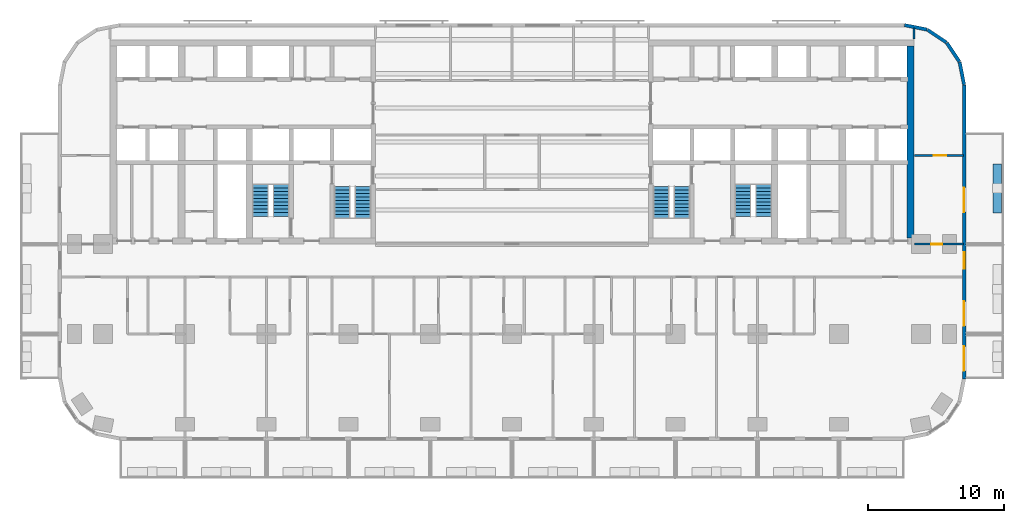
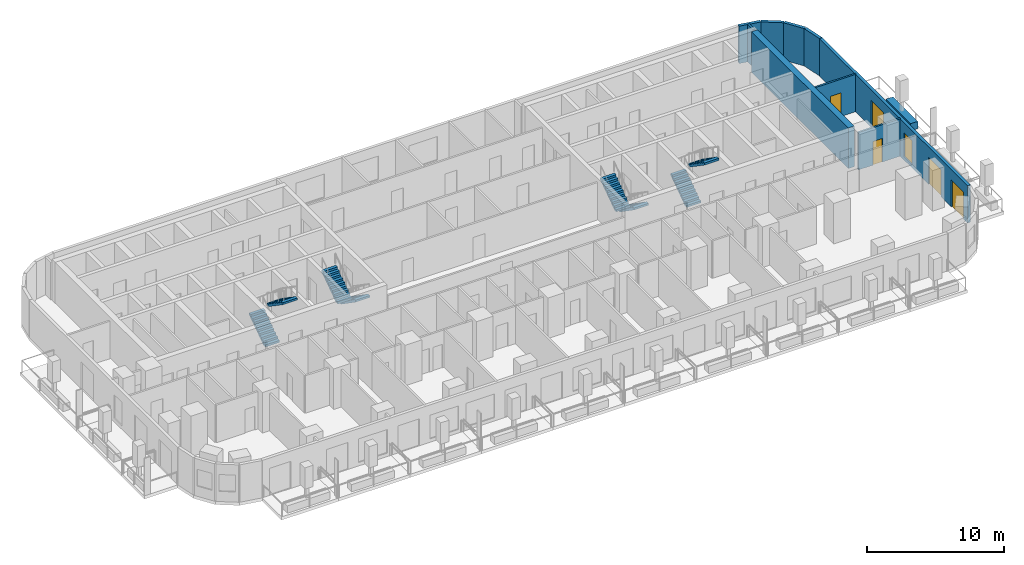
# One storey, part 9 of 14: 10 walls, 8 stair flights, 5 doors, 1 window, 6 openings, 4 elements without a shape of their own.
"""IFC4 building model written with IfcOpenShell, lengths in metres."""

from ifc_helpers import new_model, si_unit, direction, frame, frame_2d, origin, place, context, subcontext, project, spatial, polyline, rectangle, outline, extrude, material, layer, layer_set, type_object, element, fill, aggregate, save


model = new_model("IFC4")

# Units and contexts
model_context = context("Model", 3, precision=1e-05, world=origin(), true_north=direction((0.0, 1.0)))
body_context = subcontext(model_context, "Body", "Model", "MODEL_VIEW")
ifc_project = project(units=[si_unit("LENGTHUNIT", "METRE"), si_unit("AREAUNIT", "SQUARE_METRE"), si_unit("VOLUMEUNIT", "CUBIC_METRE"), si_unit("PLANEANGLEUNIT", "RADIAN"), si_unit("MASSUNIT", "GRAM", prefix="KILO")], contexts=[model_context])

# Site, building, storey
site_placement = place(None, origin())
site = spatial("IfcSite", under=ifc_project, at=site_placement, CompositionType="ELEMENT")
building_placement = place(site_placement, origin())
building = spatial("IfcBuilding", under=site, at=building_placement, Name="Torana Hotel and Residences", CompositionType="ELEMENT")
storey_placement = place(building_placement, frame((0.0, 0.0, 85.199951171875)))
storey = spatial("IfcBuildingStorey", under=building, at=storey_placement, Name="L21", CompositionType="ELEMENT", Elevation=85.199951171875)

# Walls
ifc_material_1 = material(Name="Concrete C80/95", Category="concrete")
ifc_layer_1 = layer(ifc_material_1, 0.5)
ifc_layer_set_1 = layer_set([ifc_layer_1], Name="CORE WALL 500 C80/95")
wall_type_1 = type_object("IfcWallType", Name="CORE WALL 500 C80/95", PredefinedType="SHEAR", material=ifc_layer_set_1)
wall_1_placement = place(storey_placement, frame((29.25, -14.550048828125, 0.0), z_axis=(0.0, 0.0, 1.0), x_axis=(0.0, 1.0, 0.0)))
element("IfcWall", 1, at=wall_1_placement, inside=storey, type_object=wall_type_1, Name="Core wall E outer", PredefinedType="SHEAR", context=body_context, shape_type="SweptSolid", body=[
    extrude(rectangle(XDim=14.10009765625, YDim=0.5, at=frame_2d((7.050048828125, 0.0))), origin(), (0.0, 0.0, 1.0), 3.60009765625),
])
ifc_material_2 = material(Name="Black aluminium composite panel", Category="aluminium")
ifc_layer_2 = layer(ifc_material_2, 0.00390625, Name="Cladding", Category="cladding")
ifc_material_3 = material(Name="Ventilated air cavity")
ifc_layer_3 = layer(ifc_material_3, 0.0400390625, Name="Ventilated cavity", Category="cavity")
ifc_material_4 = material(Name="Mineral wool insulation")
ifc_layer_4 = layer(ifc_material_4, 0.090087890625, Name="Insulation", Category="insulation")
ifc_material_5 = material(Name="Steel S280GD", Category="steel")
ifc_layer_5 = layer(ifc_material_5, 0.092041015625, Name="Steel stud frame", Category="structure")
ifc_material_6 = material(Name="Fire rated plasterboard")
ifc_layer_6 = layer(ifc_material_6, 0.011962890625, Name="Inner board", Category="finish")
ifc_layer_7 = layer(ifc_material_6, 0.011962890625, Name="Second board", Category="finish")
ifc_layer_set_2 = layer_set([ifc_layer_2, ifc_layer_3, ifc_layer_4, ifc_layer_5, ifc_layer_6, ifc_layer_7], Name="EW1 EXTERNAL WALL BLACK METAL CLAD 250")
wall_type_2 = type_object("IfcWallType", Name="EW1 EXTERNAL WALL BLACK METAL CLAD 250", PredefinedType="SOLIDWALL", material=ifc_layer_set_2)
wall_2_placement = place(storey_placement, frame((33.172607421875, -3.30029296875, 0.0), z_axis=(0.0, 0.0, 1.0), x_axis=(-0.19513878023, 0.980775640221, 0.0)))
element("IfcWall", 2, at=wall_2_placement, inside=storey, type_object=wall_type_2, Name="External wall L21 e0.0", PredefinedType="SOLIDWALL", context=body_context, shape_type="SweptSolid", body=[
    extrude(rectangle(XDim=1.681396484375, YDim=0.25, at=frame_2d((0.8408203125, 0.0))), origin(), (0.0, 0.0, 1.0), 3.320068359375),
])
for number, where, z_axis, x_axis, name in (
    (3, (32.825927734375, -1.60595703125, 0.0), (0.0, 0.0, 1.0), (-0.55555029066, 0.831482937015, 0.0), "External wall L21 e0.1"),
    (4, (31.87109375, -0.1943359375, 0.0), (0.0, 0.0, 1.0), (-0.831482937015, 0.55555029066, 0.0), "External wall L21 e0.2"),
):
    element("IfcWall", number, at=place(storey_placement, frame(where, z_axis=z_axis, x_axis=x_axis)), inside=storey, type_object=wall_type_2, Name=name, PredefinedType="SOLIDWALL", context=body_context, shape_type="SweptSolid", body=[
        extrude(rectangle(XDim=1.65625, YDim=0.25, at=frame_2d((0.828125, 0.0))), origin(), (0.0, 0.0, 1.0), 3.320068359375),
    ])
wall_3_placement = place(storey_placement, frame((30.448974609375, 0.74462890625, 0.0), z_axis=(0.0, 0.0, 1.0), x_axis=(-0.980803419081, 0.194999110559, 0.0)))
element("IfcWall", 5, at=wall_3_placement, inside=storey, type_object=wall_type_2, Name="External wall L21 e0.3", PredefinedType="SOLIDWALL", context=body_context, shape_type="SweptSolid", body=[
    extrude(rectangle(XDim=1.681396484375, YDim=0.25, at=frame_2d((0.8408203125, 0.0))), origin(), (0.0, 0.0, 1.0), 3.320068359375),
])

# Wall, openings, doors, window
wall_4_placement = place(storey_placement, frame((33.175048828125, -24.87548828125, 0.0), z_axis=(0.0, 0.0, 1.0), x_axis=(0.0, 1.0, 0.0)))
wall_4 = element("IfcWall", 6, at=wall_4_placement, inside=storey, type_object=wall_type_2, Name="External wall L21 e0.19", PredefinedType="SOLIDWALL", context=body_context, shape_type="SweptSolid", body=[
    extrude(rectangle(XDim=21.55078125, YDim=0.25, at=frame_2d((10.775390625, 0.0))), origin(), (0.0, 0.0, 1.0), 3.320068359375),
])
opening_1_placement = place(wall_4_placement, frame((0.575439453125, 0.0, 0.0)))
opening_1 = element("IfcOpeningElement", 7, at=opening_1_placement, cuts=wall_4, Name="Opening L21-E11", PredefinedType="OPENING", context=body_context, shape_type="SweptSolid", body=[
    extrude(rectangle(XDim=1.800048828125, YDim=2.39990234375, at=frame_2d((0.89990234375, 1.199951171875))), frame((0.0, 0.135009765625, 0.0), z_axis=(0.0, -1.0, 0.0), x_axis=(1.0, 0.0, 0.0)), (0.0, 0.0, 1.0), 0.27001953125),
])
opening_2_placement = place(wall_4_placement, frame((3.87548828125, 0.0, 0.0)))
opening_2 = element("IfcOpeningElement", 8, at=opening_2_placement, cuts=wall_4, Name="Opening L21-E12", PredefinedType="OPENING", context=body_context, shape_type="SweptSolid", body=[
    extrude(rectangle(XDim=1.800048828125, YDim=2.39990234375, at=frame_2d((0.89990234375, 1.199951171875))), frame((0.0, 0.135009765625, 0.0), z_axis=(0.0, -1.0, 0.0), x_axis=(1.0, 0.0, 0.0)), (0.0, 0.0, 1.0), 0.27001953125),
])
opening_3_placement = place(wall_4_placement, frame((8.075439453125, 0.0, 0.300048828125)))
opening_3 = element("IfcOpeningElement", 9, at=opening_3_placement, cuts=wall_4, Name="Opening W7", PredefinedType="OPENING", context=body_context, shape_type="SweptSolid", body=[
    extrude(rectangle(XDim=1.199951171875, YDim=2.10009765625, at=frame_2d((0.60009765625, 1.050048828125))), frame((0.0, 0.135009765625, 0.0), z_axis=(0.0, -1.0, 0.0), x_axis=(1.0, 0.0, 0.0)), (0.0, 0.0, 1.0), 0.27001953125),
])
opening_4_placement = place(wall_4_placement, frame((12.225341796875, 0.0, 0.0)))
opening_4 = element("IfcOpeningElement", 10, at=opening_4_placement, cuts=wall_4, Name="Opening L21-E13", PredefinedType="OPENING", context=body_context, shape_type="SweptSolid", body=[
    extrude(rectangle(XDim=1.800048828125, YDim=2.39990234375, at=frame_2d((0.89990234375, 1.199951171875))), frame((0.0, 0.135009765625, 0.0), z_axis=(0.0, -1.0, 0.0), x_axis=(1.0, 0.0, 0.0)), (0.0, 0.0, 1.0), 0.27001953125),
])
ifc_material_7 = material(Name="Dark glass in black aluminium frame", Category="aluminium")
door_type_1 = type_object("IfcDoorType", Name="DB1 BALCONY DOOR 1800x2400", OperationType="DOUBLE_DOOR_SINGLE_SWING", PredefinedType="DOOR", material=ifc_material_7)
door_1_placement = place(opening_1_placement, origin())
door_1 = element("IfcDoor", 11, at=door_1_placement, inside=storey, type_object=door_type_1, Name="Balcony door L21", OperationType="DOUBLE_DOOR_SINGLE_SWING", OverallHeight=2.39990234375, OverallWidth=1.800048828125, PredefinedType="DOOR", context=body_context, shape_type="SweptSolid", body=[
    extrude(rectangle(XDim=1.800048828125, YDim=2.39990234375, at=frame_2d((0.89990234375, 1.199951171875))), frame((0.0, 0.02490234375, 0.0), z_axis=(0.0, -1.0, 0.0), x_axis=(1.0, 0.0, 0.0)), (0.0, 0.0, 1.0), 0.050048828125),
])
fill(opening_1, door_1)
door_2_placement = place(opening_2_placement, frame((0.89990234375, 0.0, 0.0), z_axis=(0.0, 0.0, 1.0), x_axis=(-1.0, 0.0, 0.0)))
door_2 = element("IfcDoor", 12, at=door_2_placement, inside=storey, type_object=door_type_1, Name="Balcony door L21", OperationType="DOUBLE_DOOR_SINGLE_SWING", OverallHeight=2.39990234375, OverallWidth=1.800048828125, PredefinedType="DOOR", context=body_context, shape_type="SweptSolid", body=[
    extrude(rectangle(XDim=1.800048828125, YDim=2.39990234375, at=frame_2d((0.0, 1.199951171875))), frame((0.0, -0.02490234375, 0.0), z_axis=(0.0, 1.0, 0.0), x_axis=(-1.0, 0.0, 0.0)), (0.0, 0.0, 1.0), 0.050048828125),
])
fill(opening_2, door_2)
door_3_placement = place(opening_4_placement, origin())
door_3 = element("IfcDoor", 13, at=door_3_placement, inside=storey, type_object=door_type_1, Name="Balcony door L21", OperationType="DOUBLE_DOOR_SINGLE_SWING", OverallHeight=2.39990234375, OverallWidth=1.800048828125, PredefinedType="DOOR", context=body_context, shape_type="SweptSolid", body=[
    extrude(rectangle(XDim=1.800048828125, YDim=2.39990234375, at=frame_2d((0.89990234375, 1.199951171875))), frame((0.0, 0.02490234375, 0.0), z_axis=(0.0, -1.0, 0.0), x_axis=(1.0, 0.0, 0.0)), (0.0, 0.0, 1.0), 0.050048828125),
])
fill(opening_4, door_3)
ifc_material_8 = material(Name="Dark glass in black aluminium frame", Category="aluminium")
window_type = type_object("IfcWindowType", Name="W7 HOTEL CORRIDOR WINDOW 1200x2100", PartitioningType="SINGLE_PANEL", PredefinedType="WINDOW", material=ifc_material_8)
window_placement = place(opening_3_placement, origin())
window = element("IfcWindow", 14, at=window_placement, inside=storey, type_object=window_type, Name="Window L21", OverallHeight=2.10009765625, OverallWidth=1.199951171875, PartitioningType="SINGLE_PANEL", PredefinedType="WINDOW", context=body_context, shape_type="SweptSolid", body=[
    extrude(rectangle(XDim=1.199951171875, YDim=2.10009765625, at=frame_2d((0.60009765625, 1.050048828125))), frame((0.0, 0.030029296875, 0.0), z_axis=(0.0, -1.0, 0.0), x_axis=(1.0, 0.0, 0.0)), (0.0, 0.0, 1.0), 0.06005859375),
])
fill(opening_3, window)

# Wall, opening, door
ifc_material_9 = material(Name="Gypsum plaster")
ifc_layer_8 = layer(ifc_material_9, 0.014892578125, Name="Plaster", Category="finish")
ifc_material_10 = material(Name="Concrete blockwork", Category="masonry")
ifc_layer_9 = layer(ifc_material_10, 0.1201171875, Name="Blockwork", Category="structure")
ifc_layer_10 = layer(ifc_material_9, 0.014892578125, Name="Plaster", Category="finish")
ifc_layer_set_3 = layer_set([ifc_layer_8, ifc_layer_9, ifc_layer_10], Name="FIRE PARTITION 150 BLOCKWORK")
wall_type_3 = type_object("IfcWallType", Name="FIRE PARTITION 150 BLOCKWORK", PredefinedType="PARTITIONING", material=ifc_layer_set_3)
wall_5_placement = place(storey_placement, frame((29.550048828125, -15.0, 0.0), z_axis=(0.0, 0.0, 1.0), x_axis=(1.0, 0.0, 0.0)))
wall_5 = element("IfcWall", 15, at=wall_5_placement, inside=storey, type_object=wall_type_3, Name="Partition L21", PredefinedType="PARTITIONING", context=body_context, shape_type="SweptSolid", body=[
    extrude(rectangle(XDim=3.570068359375, YDim=0.14990234375, at=frame_2d((1.78515625, 0.0))), origin(), (0.0, 0.0, 1.0), 3.320068359375),
])
opening_5_placement = place(wall_5_placement, frame((1.205078125, 0.0, 0.0)))
opening_5 = element("IfcOpeningElement", 16, at=opening_5_placement, cuts=wall_5, Name="Opening L21-50", PredefinedType="OPENING", context=body_context, shape_type="SweptSolid", body=[
    extrude(rectangle(XDim=0.800048828125, YDim=2.10009765625, at=frame_2d((0.39990234375, 1.050048828125))), frame((0.0, 0.0849609375, 0.0), z_axis=(0.0, -1.0, 0.0), x_axis=(1.0, 0.0, 0.0)), (0.0, 0.0, 1.0), 0.169921875),
])
ifc_material_11 = material(Name="Steel S235", Category="steel")
door_type_2 = type_object("IfcDoorType", Name="STORE FIRE DOOR D16 800x2100", OperationType="SINGLE_SWING_LEFT", PredefinedType="DOOR", material=ifc_material_11)
door_4_placement = place(opening_5_placement, origin())
door_4 = element("IfcDoor", 17, at=door_4_placement, inside=storey, type_object=door_type_2, Name="Door L21", OperationType="SINGLE_SWING_RIGHT", OverallHeight=2.10009765625, OverallWidth=0.800048828125, PredefinedType="DOOR", context=body_context, shape_type="SweptSolid", body=[
    extrude(rectangle(XDim=0.800048828125, YDim=2.10009765625, at=frame_2d((0.39990234375, 1.050048828125))), frame((0.0, 0.02490234375, 0.0), z_axis=(0.0, -1.0, 0.0), x_axis=(1.0, 0.0, 0.0)), (0.0, 0.0, 1.0), 0.050048828125),
])
fill(opening_5, door_4)

# Wall
ifc_material_12 = material(Name="Gypsum plasterboard")
ifc_layer_11 = layer(ifc_material_12, 0.012451171875, Name="Plasterboard", Category="finish")
ifc_layer_12 = layer(ifc_material_12, 0.012451171875, Name="Plasterboard", Category="finish")
ifc_layer_13 = layer(ifc_material_5, 0.10009765625, Name="Steel studs with mineral wool", Category="insulation")
ifc_layer_14 = layer(ifc_material_12, 0.012451171875, Name="Plasterboard", Category="finish")
ifc_layer_15 = layer(ifc_material_12, 0.012451171875, Name="Plasterboard", Category="finish")
ifc_layer_set_4 = layer_set([ifc_layer_11, ifc_layer_12, ifc_layer_13, ifc_layer_14, ifc_layer_15], Name="PARTITION 150 PLASTERBOARD")
wall_type_4 = type_object("IfcWallType", Name="PARTITION 150 PLASTERBOARD", PredefinedType="PARTITIONING", material=ifc_layer_set_4)
wall_6_placement = place(storey_placement, frame((29.5, 0.050048828125, 0.0), z_axis=(0.0, 0.0, 1.0), x_axis=(0.0, 1.0, 0.0)))
element("IfcWall", 18, at=wall_6_placement, inside=storey, type_object=wall_type_4, Name="Partition L21", PredefinedType="PARTITIONING", context=body_context, shape_type="SweptSolid", body=[
    extrude(rectangle(XDim=0.8271484375, YDim=0.14990234375, at=frame_2d((0.41357421875, 0.0))), origin(), (0.0, 0.0, 1.0), 3.320068359375),
])

# Wall, opening, door
wall_7_placement = place(storey_placement, frame((29.550048828125, -8.5, 0.0), z_axis=(0.0, 0.0, 1.0), x_axis=(1.0, 0.0, 0.0)))
wall_7 = element("IfcWall", 19, at=wall_7_placement, inside=storey, type_object=wall_type_4, Name="Partition L21", PredefinedType="PARTITIONING", context=body_context, shape_type="SweptSolid", body=[
    extrude(rectangle(XDim=3.570068359375, YDim=0.14990234375, at=frame_2d((1.78515625, 0.0))), origin(), (0.0, 0.0, 1.0), 3.320068359375),
])
opening_6_placement = place(wall_7_placement, frame((1.39990234375, 0.0, 0.0)))
opening_6 = element("IfcOpeningElement", 20, at=opening_6_placement, cuts=wall_7, Name="Opening L21-82", PredefinedType="OPENING", context=body_context, shape_type="SweptSolid", body=[
    extrude(rectangle(XDim=0.89990234375, YDim=2.10009765625, at=frame_2d((0.449951171875, 1.050048828125))), frame((0.0, 0.0849609375, 0.0), z_axis=(0.0, -1.0, 0.0), x_axis=(1.0, 0.0, 0.0)), (0.0, 0.0, 1.0), 0.169921875),
])
ifc_material_13 = material(Name="Timber door, oiled ash", Category="wood")
door_type_3 = type_object("IfcDoorType", Name="ROOM DOOR D7 900x2100", OperationType="SINGLE_SWING_LEFT", PredefinedType="DOOR", material=ifc_material_13)
door_5_placement = place(opening_6_placement, origin())
door_5 = element("IfcDoor", 21, at=door_5_placement, inside=storey, type_object=door_type_3, Name="Door L21", OperationType="SINGLE_SWING_LEFT", OverallHeight=2.10009765625, OverallWidth=0.89990234375, PredefinedType="DOOR", context=body_context, shape_type="SweptSolid", body=[
    extrude(rectangle(XDim=0.89990234375, YDim=2.10009765625, at=frame_2d((0.449951171875, 1.050048828125))), frame((0.0, 0.02490234375, 0.0), z_axis=(0.0, -1.0, 0.0), x_axis=(1.0, 0.0, 0.0)), (0.0, 0.0, 1.0), 0.050048828125),
])
fill(opening_6, door_5)

# Wall
ifc_material_14 = material(Name="Concrete C40/50 precast", Category="concrete")
ifc_layer_16 = layer(ifc_material_14, 0.10009765625, Name="Planter shell", Category="structure")
ifc_material_15 = material(Name="Root resistant membrane")
ifc_layer_17 = layer(ifc_material_15, 0.00390625, Name="Waterproofing membrane", Category="membrane")
ifc_material_16 = material(Name="Drainage board with filter fleece")
ifc_layer_18 = layer(ifc_material_16, 0.02001953125, Name="Drainage board", Category="drainage")
ifc_material_17 = material(Name="Growing medium")
ifc_layer_19 = layer(ifc_material_17, 0.47607421875, Name="Planting substrate", Category="soil")
ifc_layer_set_5 = layer_set([ifc_layer_16, ifc_layer_17, ifc_layer_18, ifc_layer_19], Name="PL1 BALCONY PLANTER 600")
wall_type_5 = type_object("IfcWallType", Name="PL1 BALCONY PLANTER 600", PredefinedType="USERDEFINED", material=ifc_layer_set_5)
wall_8_placement = place(storey_placement, frame((35.60009765625, -9.10009765625, 0.0), z_axis=(0.0, 0.0, 1.0), x_axis=(0.0, -1.0, 0.0)))
element("IfcWall", 22, at=wall_8_placement, inside=storey, type_object=wall_type_5, Name="Planter 16", ObjectType="PLANTER", PredefinedType="USERDEFINED", context=body_context, shape_type="SweptSolid", body=[
    extrude(rectangle(XDim=3.599853515625, YDim=0.60009765625, at=frame_2d((1.7998046875, 0.0))), origin(), (0.0, 0.0, 1.0), 0.650146484375),
])

# Stair, stair flights
ifc_material_18 = material(Name="Concrete C40/50 precast", Category="concrete")
stair_type_1 = type_object("IfcStairType", Name="STAIR ST1 HALF TURN 1200", PredefinedType="HALF_TURN_STAIR", material=ifc_material_18)
stair_1_placement = place(storey_placement, origin())
stair_1 = element("IfcStair", 23, at=stair_1_placement, inside=storey, type_object=stair_type_1, Name="Stair ST1 L21", PredefinedType="HALF_TURN_STAIR")
ifc_material_19 = material(Name="Concrete C40/50 precast", Category="concrete")
stair_flight_type = type_object("IfcStairFlightType", Name="STAIR FLIGHT 1200 PRECAST", PredefinedType="STRAIGHT", material=ifc_material_19)
stair_flight_1_placement = place(storey_placement, frame((-10.949951171875, -10.75, 0.0), z_axis=(0.0, 0.0, 1.0), x_axis=(0.0, -1.0, 0.0)))
stair_flight_1 = element("IfcStairFlight", 24, at=stair_flight_1_placement, type_object=stair_flight_type, Name="ST1 flight 1", NumberOfRisers=10, NumberOfTreads=9, PredefinedType="STRAIGHT", RiserHeight=0.18, TreadLength=0.26, context=body_context, shape_type="SweptSolid", body=[
    extrude(outline(polyline([(0.0, 0.0), (0.0, 0.179931640625), (0.260009765625, 0.179931640625), (0.260009765625, 0.360107421875), (0.52001953125, 0.360107421875), (0.52001953125, 0.5400390625), (0.780029296875, 0.5400390625), (0.780029296875, 0.719970703125), (1.0400390625, 0.719970703125), (1.0400390625, 0.89990234375), (1.300048828125, 0.89990234375), (1.300048828125, 1.080078125), (1.56005859375, 1.080078125), (1.56005859375, 1.260009765625), (1.820068359375, 1.260009765625), (1.820068359375, 1.43994140625), (2.080078125, 1.43994140625), (2.080078125, 1.6201171875), (2.340087890625, 1.6201171875), (2.340087890625, 1.800048828125), (2.340087890625, 1.437744140625), (0.263427734375, 0.0), (0.0, 0.0)])), frame((0.0, 0.60009765625, 0.0), z_axis=(0.0, -1.0, 0.0), x_axis=(1.0, 0.0, 0.0)), (0.0, 0.0, 1.0), 1.199951171875),
])
stair_flight_2_placement = place(storey_placement, frame((-12.449951171875, -13.090087890625, 1.800048828125), z_axis=(0.0, 0.0, 1.0), x_axis=(0.0, 1.0, 0.0)))
stair_flight_2 = element("IfcStairFlight", 25, at=stair_flight_2_placement, type_object=stair_flight_type, Name="ST1 flight 2", NumberOfRisers=10, NumberOfTreads=9, PredefinedType="STRAIGHT", RiserHeight=0.18, TreadLength=0.26, context=body_context, shape_type="SweptSolid", body=[
    extrude(outline(polyline([(0.0, 0.0), (0.0, 0.179931640625), (0.260009765625, 0.179931640625), (0.260009765625, 0.360107421875), (0.52001953125, 0.360107421875), (0.52001953125, 0.5400390625), (0.780029296875, 0.5400390625), (0.780029296875, 0.719970703125), (1.0400390625, 0.719970703125), (1.0400390625, 0.89990234375), (1.300048828125, 0.89990234375), (1.300048828125, 1.080078125), (1.56005859375, 1.080078125), (1.56005859375, 1.260009765625), (1.820068359375, 1.260009765625), (1.820068359375, 1.43994140625), (2.080078125, 1.43994140625), (2.080078125, 1.6201171875), (2.340087890625, 1.6201171875), (2.340087890625, 1.800048828125), (2.340087890625, 1.437744140625), (0.263427734375, 0.0), (0.0, 0.0)])), frame((0.0, 0.60009765625, 0.0), z_axis=(0.0, -1.0, 0.0), x_axis=(1.0, 0.0, 0.0)), (0.0, 0.0, 1.0), 1.199951171875),
])
aggregate(stair_1, [stair_flight_1, stair_flight_2])

ifc_material_20 = material(Name="Concrete C40/50 precast", Category="concrete")
stair_type_2 = type_object("IfcStairType", Name="STAIR ST2 HALF TURN 1200", PredefinedType="HALF_TURN_STAIR", material=ifc_material_20)
stair_2_placement = place(storey_placement, origin())
stair_2 = element("IfcStair", 26, at=stair_2_placement, inside=storey, type_object=stair_type_2, Name="Stair ST2 L21", PredefinedType="HALF_TURN_STAIR")
stair_flight_3_placement = place(storey_placement, frame((-18.449951171875, -12.949951171875, 0.0), z_axis=(0.0, 0.0, 1.0), x_axis=(0.0, 1.0, 0.0)))
stair_flight_3 = element("IfcStairFlight", 27, at=stair_flight_3_placement, type_object=stair_flight_type, Name="ST2 flight 1", NumberOfRisers=10, NumberOfTreads=9, PredefinedType="STRAIGHT", RiserHeight=0.18, TreadLength=0.26, context=body_context, shape_type="SweptSolid", body=[
    extrude(outline(polyline([(0.0, 0.0), (0.0, 0.179931640625), (0.260009765625, 0.179931640625), (0.260009765625, 0.360107421875), (0.52001953125, 0.360107421875), (0.52001953125, 0.5400390625), (0.780029296875, 0.5400390625), (0.780029296875, 0.719970703125), (1.0400390625, 0.719970703125), (1.0400390625, 0.89990234375), (1.300048828125, 0.89990234375), (1.300048828125, 1.080078125), (1.56005859375, 1.080078125), (1.56005859375, 1.260009765625), (1.820068359375, 1.260009765625), (1.820068359375, 1.43994140625), (2.080078125, 1.43994140625), (2.080078125, 1.6201171875), (2.340087890625, 1.6201171875), (2.340087890625, 1.800048828125), (2.340087890625, 1.437744140625), (0.263427734375, 0.0), (0.0, 0.0)])), frame((0.0, 0.60009765625, 0.0), z_axis=(0.0, -1.0, 0.0), x_axis=(1.0, 0.0, 0.0)), (0.0, 0.0, 1.0), 1.199951171875),
])
stair_flight_4_placement = place(storey_placement, frame((-16.949951171875, -10.610107421875, 1.800048828125), z_axis=(0.0, 0.0, 1.0), x_axis=(0.0, -1.0, 0.0)))
stair_flight_4 = element("IfcStairFlight", 28, at=stair_flight_4_placement, type_object=stair_flight_type, Name="ST2 flight 2", NumberOfRisers=10, NumberOfTreads=9, PredefinedType="STRAIGHT", RiserHeight=0.18, TreadLength=0.26, context=body_context, shape_type="SweptSolid", body=[
    extrude(outline(polyline([(0.0, 0.0), (0.0, 0.179931640625), (0.260009765625, 0.179931640625), (0.260009765625, 0.360107421875), (0.52001953125, 0.360107421875), (0.52001953125, 0.5400390625), (0.780029296875, 0.5400390625), (0.780029296875, 0.719970703125), (1.0400390625, 0.719970703125), (1.0400390625, 0.89990234375), (1.300048828125, 0.89990234375), (1.300048828125, 1.080078125), (1.56005859375, 1.080078125), (1.56005859375, 1.260009765625), (1.820068359375, 1.260009765625), (1.820068359375, 1.43994140625), (2.080078125, 1.43994140625), (2.080078125, 1.6201171875), (2.340087890625, 1.6201171875), (2.340087890625, 1.800048828125), (2.340087890625, 1.437744140625), (0.263427734375, 0.0), (0.0, 0.0)])), frame((0.0, 0.60009765625, 0.0), z_axis=(0.0, -1.0, 0.0), x_axis=(1.0, 0.0, 0.0)), (0.0, 0.0, 1.0), 1.199951171875),
])
aggregate(stair_2, [stair_flight_3, stair_flight_4])

ifc_material_21 = material(Name="Concrete C40/50 precast", Category="concrete")
stair_type_3 = type_object("IfcStairType", Name="STAIR ST3 HALF TURN 1200", PredefinedType="HALF_TURN_STAIR", material=ifc_material_21)
stair_3_placement = place(storey_placement, origin())
stair_3 = element("IfcStair", 29, at=stair_3_placement, inside=storey, type_object=stair_type_3, Name="Stair ST3 L21", PredefinedType="HALF_TURN_STAIR")
stair_flight_5_placement = place(storey_placement, frame((12.449951171875, -10.75, 0.0), z_axis=(0.0, 0.0, 1.0), x_axis=(0.0, -1.0, 0.0)))
stair_flight_5 = element("IfcStairFlight", 30, at=stair_flight_5_placement, type_object=stair_flight_type, Name="ST3 flight 1", NumberOfRisers=10, NumberOfTreads=9, PredefinedType="STRAIGHT", RiserHeight=0.18, TreadLength=0.26, context=body_context, shape_type="SweptSolid", body=[
    extrude(outline(polyline([(0.0, 0.0), (0.0, 0.179931640625), (0.260009765625, 0.179931640625), (0.260009765625, 0.360107421875), (0.52001953125, 0.360107421875), (0.52001953125, 0.5400390625), (0.780029296875, 0.5400390625), (0.780029296875, 0.719970703125), (1.0400390625, 0.719970703125), (1.0400390625, 0.89990234375), (1.300048828125, 0.89990234375), (1.300048828125, 1.080078125), (1.56005859375, 1.080078125), (1.56005859375, 1.260009765625), (1.820068359375, 1.260009765625), (1.820068359375, 1.43994140625), (2.080078125, 1.43994140625), (2.080078125, 1.6201171875), (2.340087890625, 1.6201171875), (2.340087890625, 1.800048828125), (2.340087890625, 1.437744140625), (0.263427734375, 0.0), (0.0, 0.0)])), frame((0.0, 0.60009765625, 0.0), z_axis=(0.0, -1.0, 0.0), x_axis=(1.0, 0.0, 0.0)), (0.0, 0.0, 1.0), 1.199951171875),
])
stair_flight_6_placement = place(storey_placement, frame((10.949951171875, -13.090087890625, 1.800048828125), z_axis=(0.0, 0.0, 1.0), x_axis=(0.0, 1.0, 0.0)))
stair_flight_6 = element("IfcStairFlight", 31, at=stair_flight_6_placement, type_object=stair_flight_type, Name="ST3 flight 2", NumberOfRisers=10, NumberOfTreads=9, PredefinedType="STRAIGHT", RiserHeight=0.18, TreadLength=0.26, context=body_context, shape_type="SweptSolid", body=[
    extrude(outline(polyline([(0.0, 0.0), (0.0, 0.179931640625), (0.260009765625, 0.179931640625), (0.260009765625, 0.360107421875), (0.52001953125, 0.360107421875), (0.52001953125, 0.5400390625), (0.780029296875, 0.5400390625), (0.780029296875, 0.719970703125), (1.0400390625, 0.719970703125), (1.0400390625, 0.89990234375), (1.300048828125, 0.89990234375), (1.300048828125, 1.080078125), (1.56005859375, 1.080078125), (1.56005859375, 1.260009765625), (1.820068359375, 1.260009765625), (1.820068359375, 1.43994140625), (2.080078125, 1.43994140625), (2.080078125, 1.6201171875), (2.340087890625, 1.6201171875), (2.340087890625, 1.800048828125), (2.340087890625, 1.437744140625), (0.263427734375, 0.0), (0.0, 0.0)])), frame((0.0, 0.60009765625, 0.0), z_axis=(0.0, -1.0, 0.0), x_axis=(1.0, 0.0, 0.0)), (0.0, 0.0, 1.0), 1.199951171875),
])
aggregate(stair_3, [stair_flight_5, stair_flight_6])

ifc_material_22 = material(Name="Concrete C40/50 precast", Category="concrete")
stair_type_4 = type_object("IfcStairType", Name="STAIR ST4 HALF TURN 1200", PredefinedType="HALF_TURN_STAIR", material=ifc_material_22)
stair_4_placement = place(storey_placement, origin())
stair_4 = element("IfcStair", 32, at=stair_4_placement, inside=storey, type_object=stair_type_4, Name="Stair ST4 L21", PredefinedType="HALF_TURN_STAIR")
stair_flight_7_placement = place(storey_placement, frame((16.949951171875, -12.949951171875, 0.0), z_axis=(0.0, 0.0, 1.0), x_axis=(0.0, 1.0, 0.0)))
stair_flight_7 = element("IfcStairFlight", 33, at=stair_flight_7_placement, type_object=stair_flight_type, Name="ST4 flight 1", NumberOfRisers=10, NumberOfTreads=9, PredefinedType="STRAIGHT", RiserHeight=0.18, TreadLength=0.26, context=body_context, shape_type="SweptSolid", body=[
    extrude(outline(polyline([(0.0, 0.0), (0.0, 0.179931640625), (0.260009765625, 0.179931640625), (0.260009765625, 0.360107421875), (0.52001953125, 0.360107421875), (0.52001953125, 0.5400390625), (0.780029296875, 0.5400390625), (0.780029296875, 0.719970703125), (1.0400390625, 0.719970703125), (1.0400390625, 0.89990234375), (1.300048828125, 0.89990234375), (1.300048828125, 1.080078125), (1.56005859375, 1.080078125), (1.56005859375, 1.260009765625), (1.820068359375, 1.260009765625), (1.820068359375, 1.43994140625), (2.080078125, 1.43994140625), (2.080078125, 1.6201171875), (2.340087890625, 1.6201171875), (2.340087890625, 1.800048828125), (2.340087890625, 1.437744140625), (0.263427734375, 0.0), (0.0, 0.0)])), frame((0.0, 0.60009765625, 0.0), z_axis=(0.0, -1.0, 0.0), x_axis=(1.0, 0.0, 0.0)), (0.0, 0.0, 1.0), 1.199951171875),
])
stair_flight_8_placement = place(storey_placement, frame((18.449951171875, -10.610107421875, 1.800048828125), z_axis=(0.0, 0.0, 1.0), x_axis=(0.0, -1.0, 0.0)))
stair_flight_8 = element("IfcStairFlight", 34, at=stair_flight_8_placement, type_object=stair_flight_type, Name="ST4 flight 2", NumberOfRisers=10, NumberOfTreads=9, PredefinedType="STRAIGHT", RiserHeight=0.18, TreadLength=0.26, context=body_context, shape_type="SweptSolid", body=[
    extrude(outline(polyline([(0.0, 0.0), (0.0, 0.179931640625), (0.260009765625, 0.179931640625), (0.260009765625, 0.360107421875), (0.52001953125, 0.360107421875), (0.52001953125, 0.5400390625), (0.780029296875, 0.5400390625), (0.780029296875, 0.719970703125), (1.0400390625, 0.719970703125), (1.0400390625, 0.89990234375), (1.300048828125, 0.89990234375), (1.300048828125, 1.080078125), (1.56005859375, 1.080078125), (1.56005859375, 1.260009765625), (1.820068359375, 1.260009765625), (1.820068359375, 1.43994140625), (2.080078125, 1.43994140625), (2.080078125, 1.6201171875), (2.340087890625, 1.6201171875), (2.340087890625, 1.800048828125), (2.340087890625, 1.437744140625), (0.263427734375, 0.0), (0.0, 0.0)])), frame((0.0, 0.60009765625, 0.0), z_axis=(0.0, -1.0, 0.0), x_axis=(1.0, 0.0, 0.0)), (0.0, 0.0, 1.0), 1.199951171875),
])
aggregate(stair_4, [stair_flight_7, stair_flight_8])

save(model, "model.ifc")
